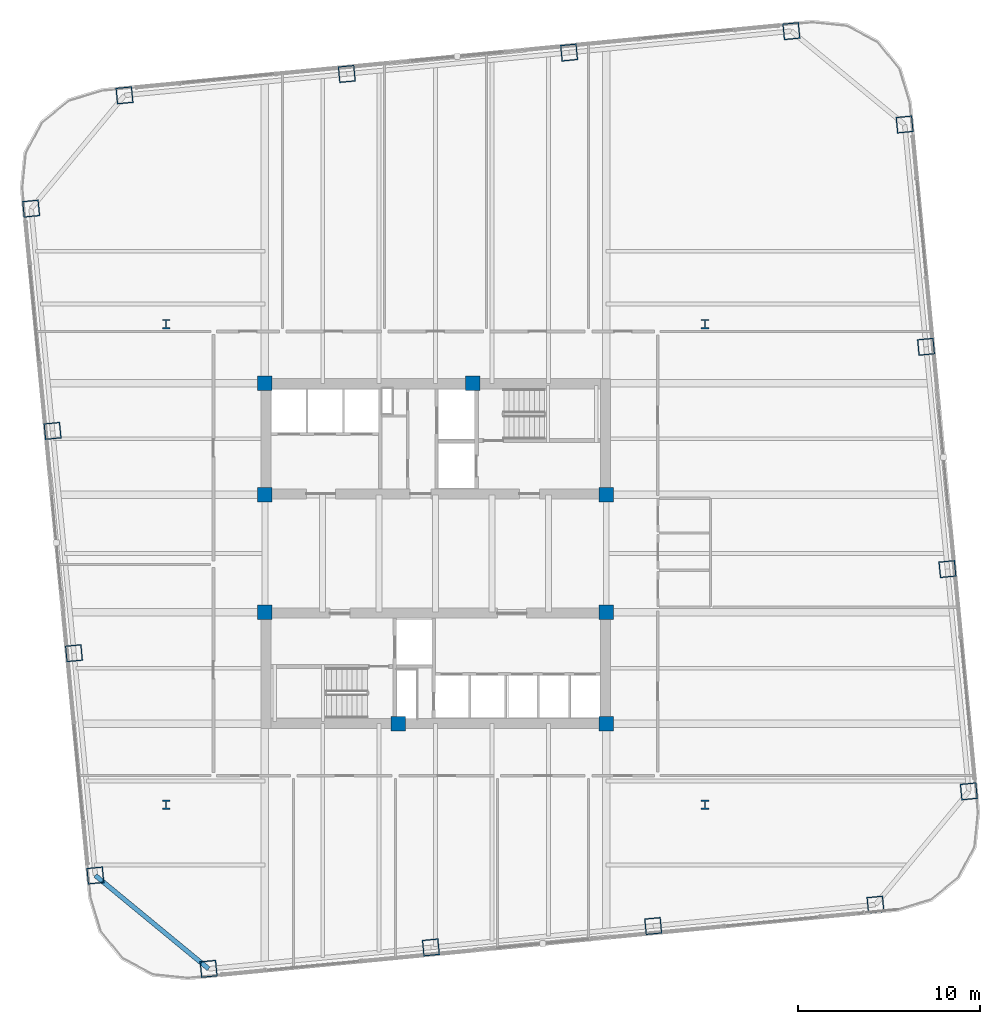
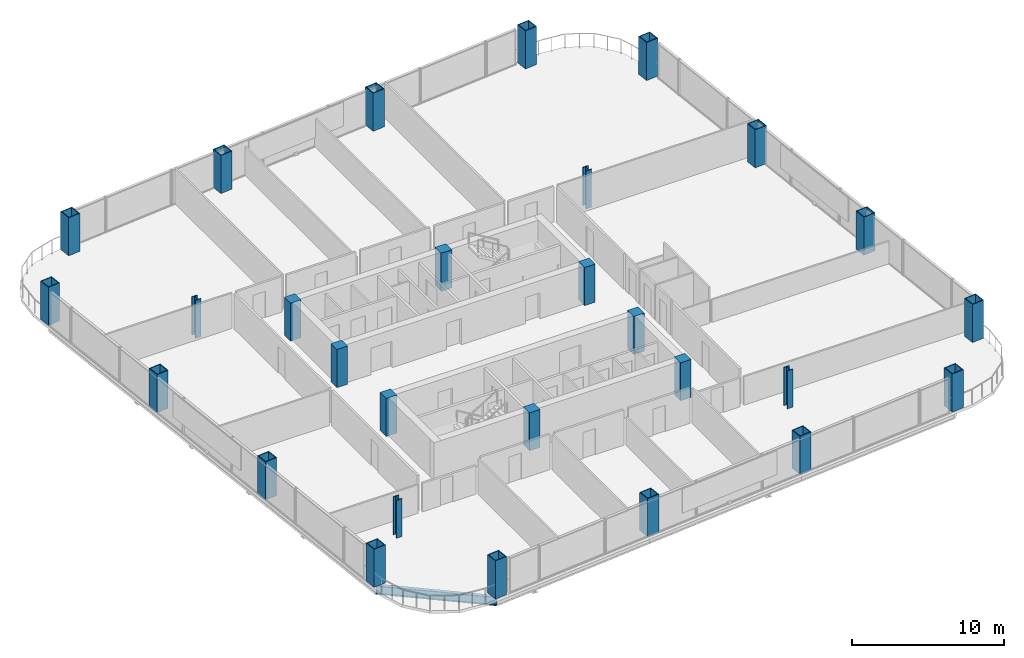
# One storey, part 1 of 27: 28 columns, 1 beam.
"""IFC4 building model written with IfcOpenShell, lengths in metres."""

from ifc_helpers import new_model, si_unit, direction, frame, origin, origin_2d, place, context, subcontext, project, spatial, rectangle, hollow_rectangle, i_section, extrude, material, material_profile, profile_set, type_object, element, save


model = new_model("IFC4")

# Units and contexts
model_context = context("Model", 3, precision=1e-05, world=origin(), true_north=direction((0.0, 1.0)))
body_context = subcontext(model_context, "Body", "Model", "MODEL_VIEW")
ifc_project = project(units=[si_unit("LENGTHUNIT", "METRE"), si_unit("AREAUNIT", "SQUARE_METRE"), si_unit("VOLUMEUNIT", "CUBIC_METRE"), si_unit("PLANEANGLEUNIT", "RADIAN"), si_unit("MASSUNIT", "GRAM", prefix="KILO")], contexts=[model_context])

# Site, building, storey
site_placement = place(None, origin())
site = spatial("IfcSite", under=ifc_project, at=site_placement, CompositionType="ELEMENT")
building_placement = place(site_placement, origin())
building = spatial("IfcBuilding", under=site, at=building_placement, Name="Qhalaya Broadcast Tower", CompositionType="ELEMENT")
storey_placement = place(building_placement, frame((0.0, 0.0, 84.699951171875)))
storey = spatial("IfcBuildingStorey", under=building, at=storey_placement, Name="L24", CompositionType="ELEMENT", Elevation=84.699951171875)

# Columns
ifc_material_1 = material(Name="Concrete C50/60", Category="concrete")
ifc_material_profile_1 = material_profile(ifc_material_1, rectangle(XDim=0.800048828125, YDim=0.800048828125, at=origin_2d()), Name="RC-COL 800x800")
ifc_profile_set_1 = profile_set([ifc_material_profile_1], Name="Concrete C50/60")
column_type_1 = type_object("IfcColumnType", Name="RC Upper Column C10", PredefinedType="COLUMN", material=ifc_profile_set_1)
for number, where, z_axis, x_axis, name in (
    (1, (-9.375, 9.949951171875, 0.0), (0.0, 0.0, 1.0), (1.0, 0.0, 0.0), "L24 Column COL-CC1"),
    (2, (2.050048828125, 9.949951171875, 0.0), (0.0, 0.0, 1.0), (1.0, 0.0, 0.0), "L24 Column COL-CC2"),
    (3, (-9.375, 3.824951171875, 0.0), (0.0, 0.0, 1.0), (1.0, 0.0, 0.0), "L24 Column COL-CC3"),
    (4, (9.375, 3.824951171875, 0.0), (0.0, 0.0, 1.0), (1.0, 0.0, 0.0), "L24 Column COL-CC4"),
    (5, (-9.375, -2.625, 0.0), (0.0, 0.0, 1.0), (1.0, 0.0, 0.0), "L24 Column COL-CC5"),
    (6, (9.375, -2.625, 0.0), (0.0, 0.0, 1.0), (1.0, 0.0, 0.0), "L24 Column COL-CC6"),
    (7, (-2.050048828125, -8.75, 0.0), (0.0, 0.0, 1.0), (1.0, 0.0, 0.0), "L24 Column COL-CC7"),
    (8, (9.375, -8.75, 0.0), (0.0, 0.0, 1.0), (1.0, 0.0, 0.0), "L24 Column COL-CC8"),
):
    element("IfcColumn", number, at=place(storey_placement, frame(where, z_axis=z_axis, x_axis=x_axis)), inside=storey, type_object=column_type_1, Name=name, PredefinedType="COLUMN", context=body_context, shape_type="SweptSolid", body=[
        extrude(rectangle(XDim=0.800048828125, YDim=0.800048828125, at=origin_2d()), origin(), (0.0, 0.0, 1.0), 3.050048828125),
    ])
ifc_material_2 = material(Name="Structural Steel ASTM A992 Grade 50", Category="steel")
ifc_material_profile_2 = material_profile(ifc_material_2, i_section(OverallWidth=0.41796875, OverallDepth=0.510009765625, WebThickness=0.0419921875, FlangeThickness=0.067626953125, at=origin_2d()), Name="W14X370")
ifc_profile_set_2 = profile_set([ifc_material_profile_2], Name="Structural Steel ASTM A992 Grade 50")
column_type_2 = type_object("IfcColumnType", Name="Rolled Gravity Column C06", PredefinedType="COLUMN", material=ifc_profile_set_2)
for number, where, z_axis, x_axis, name in (
    (9, (-14.800048828125, -13.199951171875, 0.0), (0.0, 0.0, 1.0), (1.0, 0.0, 0.0), "L24 Column COL-GR1"),
    (10, (14.800048828125, -13.199951171875, 0.0), (0.0, 0.0, 1.0), (1.0, 0.0, 0.0), "L24 Column COL-GR2"),
    (11, (-14.800048828125, 13.199951171875, 0.0), (0.0, 0.0, 1.0), (1.0, 0.0, 0.0), "L24 Column COL-GR3"),
    (12, (14.800048828125, 13.199951171875, 0.0), (0.0, 0.0, 1.0), (1.0, 0.0, 0.0), "L24 Column COL-GR4"),
):
    element("IfcColumn", number, at=place(storey_placement, frame(where, z_axis=z_axis, x_axis=x_axis)), inside=storey, type_object=column_type_2, Name=name, PredefinedType="COLUMN", context=body_context, shape_type="SweptSolid", body=[
        extrude(i_section(OverallWidth=0.41796875, OverallDepth=0.510009765625, WebThickness=0.0419921875, FlangeThickness=0.067626953125, at=origin_2d()), origin(), (0.0, 0.0, 1.0), 3.050048828125),
    ])
ifc_material_3 = material(Name="Structural Steel ASTM A572 Grade 50", Category="steel")
ifc_material_profile_3 = material_profile(ifc_material_3, hollow_rectangle(XDim=0.89990234375, YDim=0.89990234375, WallThickness=0.054931640625, at=origin_2d()), Name="BOX 900x900x55")
ifc_profile_set_3 = profile_set([ifc_material_profile_3], Name="Structural Steel ASTM A572 Grade 50")
column_type_3 = type_object("IfcColumnType", Name="Steel Box Column C02", PredefinedType="COLUMN", material=ifc_profile_set_3)
for number, where, z_axis, x_axis, name in (
    (13, (-12.46533203125, -22.212646484375, 0.0), (0.0, 0.0, 1.0), (0.995396198367, 0.09584575252, 0.0), "L24 Column COL-EX01"),
    (14, (-0.255126953125, -21.036865234375, 0.0), (0.0, 0.0, 1.0), (0.995396198367, 0.09584575252, 0.0), "L24 Column COL-EX02"),
    (15, (11.955078125, -19.861083984375, 0.0), (0.0, 0.0, 1.0), (0.995396198367, 0.09584575252, 0.0), "L24 Column COL-EX03"),
    (16, (24.165283203125, -18.685546875, 0.0), (0.0, 0.0, 1.0), (0.995396198367, 0.09584575252, 0.0), "L24 Column COL-EX04"),
    (17, (29.29248046875, -12.46533203125, 0.0), (0.0, 0.0, 1.0), (-0.09584575252, 0.995396198367, 0.0), "L24 Column COL-EX05"),
    (18, (28.116943359375, -0.255126953125, 0.0), (0.0, 0.0, 1.0), (-0.09584575252, 0.995396198367, 0.0), "L24 Column COL-EX06"),
    (19, (26.941162109375, 11.955078125, 0.0), (0.0, 0.0, 1.0), (-0.09584575252, 0.995396198367, 0.0), "L24 Column COL-EX07"),
    (20, (25.765380859375, 24.165283203125, 0.0), (0.0, 0.0, 1.0), (-0.09584575252, 0.995396198367, 0.0), "L24 Column COL-EX08"),
    (21, (19.54541015625, 29.29248046875, 0.0), (0.0, 0.0, 1.0), (0.995396198367, 0.09584575252, 0.0), "L24 Column COL-EX09"),
    (22, (7.335205078125, 28.116943359375, 0.0), (0.0, 0.0, 1.0), (0.995396198367, 0.09584575252, 0.0), "L24 Column COL-EX10"),
    (23, (-4.875, 26.941162109375, 0.0), (0.0, 0.0, 1.0), (0.995396198367, 0.09584575252, 0.0), "L24 Column COL-EX11"),
    (24, (-17.085205078125, 25.765380859375, 0.0), (0.0, 0.0, 1.0), (0.995396198367, 0.09584575252, 0.0), "L24 Column COL-EX12"),
    (25, (-22.212646484375, 19.54541015625, 0.0), (0.0, 0.0, 1.0), (-0.09584575252, 0.995396198367, 0.0), "L24 Column COL-EX13"),
    (26, (-21.036865234375, 7.335205078125, 0.0), (0.0, 0.0, 1.0), (-0.09584575252, 0.995396198367, 0.0), "L24 Column COL-EX14"),
    (27, (-19.861083984375, -4.875, 0.0), (0.0, 0.0, 1.0), (-0.09584575252, 0.995396198367, 0.0), "L24 Column COL-EX15"),
    (28, (-18.685546875, -17.085205078125, 0.0), (0.0, 0.0, 1.0), (-0.09584575252, 0.995396198367, 0.0), "L24 Column COL-EX16"),
):
    element("IfcColumn", number, at=place(storey_placement, frame(where, z_axis=z_axis, x_axis=x_axis)), inside=storey, type_object=column_type_3, Name=name, PredefinedType="COLUMN", context=body_context, shape_type="SweptSolid", body=[
        extrude(hollow_rectangle(XDim=0.89990234375, YDim=0.89990234375, WallThickness=0.054931640625, at=origin_2d()), origin(), (0.0, 0.0, 1.0), 3.050048828125),
    ])

# Beam
ifc_material_profile_4 = material_profile(ifc_material_2, i_section(OverallWidth=0.25390625, OverallDepth=0.68310546875, WebThickness=0.012451171875, FlangeThickness=0.01904296875, at=origin_2d()), Name="W27X94")
ifc_profile_set_4 = profile_set([ifc_material_profile_4], Name="Structural Steel ASTM A992 Grade 50")
beam_type = type_object("IfcBeamType", Name="Perimeter Ring Spandrel Beam SP1", PredefinedType="SPANDREL", material=ifc_profile_set_4)
beam_placement = place(storey_placement, frame((-18.685546875, -17.085205078125, -0.5615234375), z_axis=(0.771631160126, -0.636070241972, 0.0), x_axis=(0.636070241972, 0.771631160126, 0.0)))
element("IfcBeam", 29, at=beam_placement, inside=storey, type_object=beam_type, Name="L24 SP1 L24-SPR-16", PredefinedType="SPANDREL", context=body_context, shape_type="SweptSolid", body=[
    extrude(i_section(OverallWidth=0.25390625, OverallDepth=0.68310546875, WebThickness=0.012451171875, FlangeThickness=0.01904296875, at=origin_2d()), origin(), (0.0, 0.0, 1.0), 8.06103515625),
])

save(model, "model.ifc")
